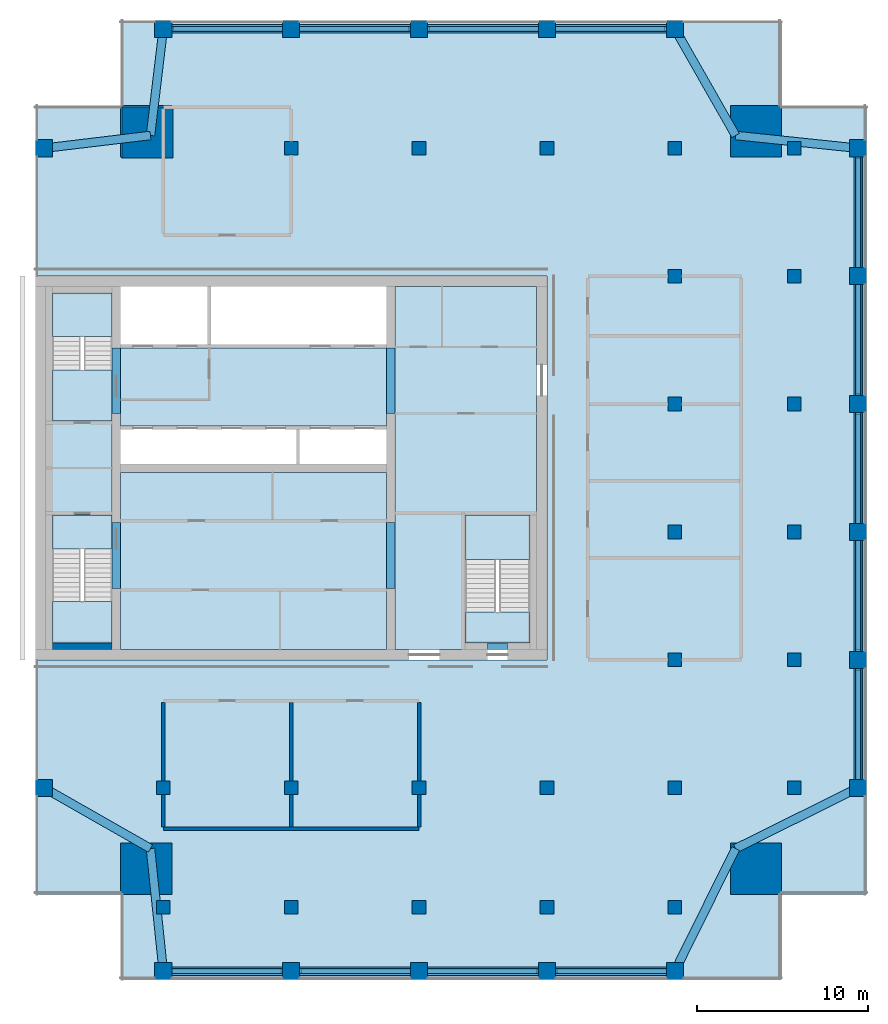
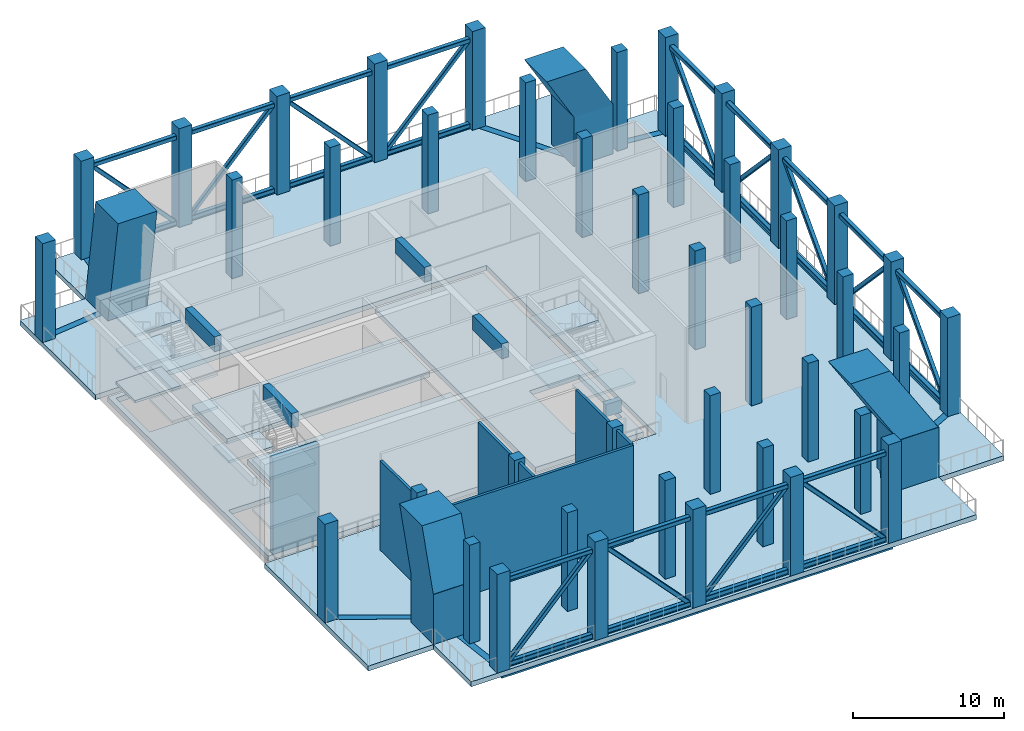
# One storey, part 1 of 11: 46 columns, 39 members, 26 beams, 16 slabs, 5 walls, 3 elements without a shape of their own.
"""IFC4 building model written with IfcOpenShell, lengths in metres."""

from ifc_helpers import new_model, si_unit, direction, frame, frame_2d, origin, origin_2d, place, context, subcontext, project, spatial, polyline, rectangle, hollow_rectangle, outline, extrude, material, layer, layer_set, material_profile, profile_set, type_object, element, aggregate, save


model = new_model("IFC4")

# Units and contexts
model_context = context("Model", 3, precision=1e-05, world=origin(), true_north=direction((0.0, 1.0)))
body_context = subcontext(model_context, "Body", "Model", "MODEL_VIEW")
ifc_project = project(units=[si_unit("LENGTHUNIT", "METRE"), si_unit("AREAUNIT", "SQUARE_METRE"), si_unit("VOLUMEUNIT", "CUBIC_METRE"), si_unit("PLANEANGLEUNIT", "RADIAN"), si_unit("MASSUNIT", "GRAM", prefix="KILO")], contexts=[model_context])

# Site, building, storey
site_placement = place(None, origin())
site = spatial("IfcSite", under=ifc_project, at=site_placement, CompositionType="ELEMENT")
building_placement = place(site_placement, origin())
building = spatial("IfcBuilding", under=site, at=building_placement, Name="Tamorin Gate", CompositionType="ELEMENT")
storey_placement = place(building_placement, frame((0.0, 0.0, 258.199951171875)))
storey = spatial("IfcBuildingStorey", under=building, at=storey_placement, Name="L65", CompositionType="ELEMENT", Elevation=258.199951171875)

# Columns
ifc_material_1 = material(Name="Concrete C50/60", Category="concrete")
ifc_material_profile_1 = material_profile(ifc_material_1, rectangle(XDim=1.0, YDim=1.0, at=origin_2d()), Name="RC 1000x1000")
ifc_profile_set_1 = profile_set([ifc_material_profile_1], Name="Concrete C50/60")
column_type_1 = type_object("IfcColumnType", Name="RC column 1000x1000 C50/60", PredefinedType="COLUMN", material=ifc_profile_set_1)
for number, where, z_axis, x_axis, name in (
    (1, (37.5, 41.75, 0.0), (0.0, 0.0, 1.0), (1.0, 0.0, 0.0), "Ring column L65"),
    (2, (45.0, 41.75, 0.0), (0.0, 0.0, 1.0), (1.0, 0.0, 0.0), "Ring column L65"),
    (3, (52.5, 41.75, 0.0), (0.0, 0.0, 1.0), (1.0, 0.0, 0.0), "Ring column L65"),
    (4, (60.0, 41.75, 0.0), (0.0, 0.0, 1.0), (1.0, 0.0, 0.0), "Ring column L65"),
    (5, (67.5, 41.75, 0.0), (0.0, 0.0, 1.0), (1.0, 0.0, 0.0), "Ring column L65"),
    (6, (78.25, 52.5, 0.0), (0.0, 0.0, 1.0), (1.0, 0.0, 0.0), "Ring column L65"),
    (7, (78.25, 60.0, 0.0), (0.0, 0.0, 1.0), (1.0, 0.0, 0.0), "Ring column L65"),
    (8, (78.25, 67.5, 0.0), (0.0, 0.0, 1.0), (1.0, 0.0, 0.0), "Ring column L65"),
    (9, (78.25, 75.0, 0.0), (0.0, 0.0, 1.0), (1.0, 0.0, 0.0), "Ring column L65"),
    (10, (78.25, 82.5, 0.0), (0.0, 0.0, 1.0), (1.0, 0.0, 0.0), "Ring column L65"),
    (11, (78.25, 90.0, 0.0), (0.0, 0.0, 1.0), (1.0, 0.0, 0.0), "Ring column L65"),
    (12, (30.5, 52.5, 0.0), (0.0, 0.0, 1.0), (1.0, 0.0, 0.0), "Ring column L65"),
    (13, (30.5, 90.0, 0.0), (0.0, 0.0, 1.0), (1.0, 0.0, 0.0), "Ring column L65"),
    (14, (37.5, 97.0, 0.0), (0.0, 0.0, 1.0), (1.0, 0.0, 0.0), "Ring column L65"),
    (15, (45.0, 97.0, 0.0), (0.0, 0.0, 1.0), (1.0, 0.0, 0.0), "Ring column L65"),
    (16, (52.5, 97.0, 0.0), (0.0, 0.0, 1.0), (1.0, 0.0, 0.0), "Ring column L65"),
    (17, (60.0, 97.0, 0.0), (0.0, 0.0, 1.0), (1.0, 0.0, 0.0), "Ring column L65"),
    (18, (67.5, 97.0, 0.0), (0.0, 0.0, 1.0), (1.0, 0.0, 0.0), "Ring column L65"),
):
    element("IfcColumn", number, at=place(storey_placement, frame(where, z_axis=z_axis, x_axis=x_axis)), inside=storey, type_object=column_type_1, Name=name, PredefinedType="COLUMN", context=body_context, shape_type="SweptSolid", body=[
        extrude(rectangle(XDim=1.0, YDim=1.0, at=origin_2d()), origin(), (0.0, 0.0, 1.0), 8.0),
    ])
ifc_material_profile_2 = material_profile(ifc_material_1, rectangle(XDim=3.0, YDim=3.0, at=origin_2d()), Name="RC 3000x3000")
ifc_profile_set_2 = profile_set([ifc_material_profile_2], Name="Concrete C50/60")
column_type_2 = type_object("IfcColumnType", Name="RC column 3000x3000 C50/60", PredefinedType="COLUMN", material=ifc_profile_set_2)
column_1_placement = place(storey_placement, frame((36.5, 47.75, 0.0), z_axis=(0.0, 0.0, 1.0), x_axis=(1.0, 0.0, 0.0)))
element("IfcColumn", 19, at=column_1_placement, inside=storey, type_object=column_type_2, Name="Mega column SW L65", PredefinedType="COLUMN", context=body_context, shape_type="SweptSolid", body=[
    extrude(rectangle(XDim=3.0, YDim=3.0, at=origin_2d()), origin(), (0.0, 0.0, 1.0), 4.050048828125),
    extrude(rectangle(XDim=3.0, YDim=3.0, at=origin_2d()), frame((0.0, 0.0, 4.0)), (0.106866337029, 0.507615100888, 0.854930696232), 4.6787109375),
])
column_2_placement = place(storey_placement, frame((72.25, 47.75, 0.0), z_axis=(0.0, 0.0, 1.0), x_axis=(0.0, 1.0, 0.0)))
element("IfcColumn", 20, at=column_2_placement, inside=storey, type_object=column_type_2, Name="Mega column SE L65", PredefinedType="COLUMN", context=body_context, shape_type="SweptSolid", body=[
    extrude(rectangle(XDim=3.0, YDim=3.0, at=origin_2d()), origin(), (0.0, 0.0, 1.0), 4.050048828125),
    extrude(rectangle(XDim=3.0, YDim=3.0, at=origin_2d()), frame((0.0, 0.0, 4.0)), (0.454706833791, 0.454706833791, 0.765822035859), 5.22314453125),
])
column_3_placement = place(storey_placement, frame((36.5, 91.0, 0.0), z_axis=(0.0, 0.0, 1.0), x_axis=(0.0, -1.0, 0.0)))
element("IfcColumn", 21, at=column_3_placement, inside=storey, type_object=column_type_2, Name="Mega column NW L65", PredefinedType="COLUMN", context=body_context, shape_type="SweptSolid", body=[
    extrude(rectangle(XDim=3.0, YDim=3.0, at=origin_2d()), origin(), (0.062257280636, 0.062257280636, 0.996116490184), 8.03125),
])
column_4_placement = place(storey_placement, frame((72.25, 91.0, 0.0), z_axis=(0.0, 0.0, 1.0), x_axis=(-1.0, 0.0, 0.0)))
element("IfcColumn", 22, at=column_4_placement, inside=storey, type_object=column_type_2, Name="Mega column NE L65", PredefinedType="COLUMN", context=body_context, shape_type="SweptSolid", body=[
    extrude(rectangle(XDim=3.0, YDim=3.0, at=origin_2d()), origin(), (0.0, 0.0, 1.0), 4.050048828125),
    extrude(rectangle(XDim=3.0, YDim=3.0, at=origin_2d()), frame((0.0, 0.0, 4.0)), (0.507615100888, 0.106866337029, 0.854930696232), 4.6787109375),
])
ifc_material_profile_3 = material_profile(ifc_material_1, rectangle(XDim=0.800048828125, YDim=0.800048828125, at=origin_2d()), Name="RC 800x800")
ifc_profile_set_3 = profile_set([ifc_material_profile_3], Name="Concrete C50/60")
column_type_3 = type_object("IfcColumnType", Name="RC column 800x800 C50/60", PredefinedType="COLUMN", material=ifc_profile_set_3)
for number, where, z_axis, x_axis, name in (
    (23, (37.5, 45.5, 0.0), (0.0, 0.0, 1.0), (1.0, 0.0, 0.0), "Interior column L65"),
    (24, (37.5, 52.5, 0.0), (0.0, 0.0, 1.0), (1.0, 0.0, 0.0), "Interior column L65"),
    (25, (45.0, 45.5, 0.0), (0.0, 0.0, 1.0), (1.0, 0.0, 0.0), "Interior column L65"),
    (26, (45.0, 52.5, 0.0), (0.0, 0.0, 1.0), (1.0, 0.0, 0.0), "Interior column L65"),
    (27, (45.0, 90.0, 0.0), (0.0, 0.0, 1.0), (1.0, 0.0, 0.0), "Interior column L65"),
    (28, (52.5, 45.5, 0.0), (0.0, 0.0, 1.0), (1.0, 0.0, 0.0), "Interior column L65"),
    (29, (52.5, 52.5, 0.0), (0.0, 0.0, 1.0), (1.0, 0.0, 0.0), "Interior column L65"),
    (30, (52.5, 90.0, 0.0), (0.0, 0.0, 1.0), (1.0, 0.0, 0.0), "Interior column L65"),
    (31, (60.0, 45.5, 0.0), (0.0, 0.0, 1.0), (1.0, 0.0, 0.0), "Interior column L65"),
    (32, (60.0, 52.5, 0.0), (0.0, 0.0, 1.0), (1.0, 0.0, 0.0), "Interior column L65"),
    (33, (60.0, 90.0, 0.0), (0.0, 0.0, 1.0), (1.0, 0.0, 0.0), "Interior column L65"),
    (34, (67.5, 45.5, 0.0), (0.0, 0.0, 1.0), (1.0, 0.0, 0.0), "Interior column L65"),
    (35, (67.5, 52.5, 0.0), (0.0, 0.0, 1.0), (1.0, 0.0, 0.0), "Interior column L65"),
    (36, (67.5, 60.0, 0.0), (0.0, 0.0, 1.0), (1.0, 0.0, 0.0), "Interior column L65"),
    (37, (67.5, 67.5, 0.0), (0.0, 0.0, 1.0), (1.0, 0.0, 0.0), "Interior column L65"),
    (38, (67.5, 75.0, 0.0), (0.0, 0.0, 1.0), (1.0, 0.0, 0.0), "Interior column L65"),
    (39, (67.5, 82.5, 0.0), (0.0, 0.0, 1.0), (1.0, 0.0, 0.0), "Interior column L65"),
    (40, (67.5, 90.0, 0.0), (0.0, 0.0, 1.0), (1.0, 0.0, 0.0), "Interior column L65"),
    (41, (74.5, 52.5, 0.0), (0.0, 0.0, 1.0), (1.0, 0.0, 0.0), "Interior column L65"),
    (42, (74.5, 60.0, 0.0), (0.0, 0.0, 1.0), (1.0, 0.0, 0.0), "Interior column L65"),
    (43, (74.5, 67.5, 0.0), (0.0, 0.0, 1.0), (1.0, 0.0, 0.0), "Interior column L65"),
    (44, (74.5, 75.0, 0.0), (0.0, 0.0, 1.0), (1.0, 0.0, 0.0), "Interior column L65"),
    (45, (74.5, 82.5, 0.0), (0.0, 0.0, 1.0), (1.0, 0.0, 0.0), "Interior column L65"),
    (46, (74.5, 90.0, 0.0), (0.0, 0.0, 1.0), (1.0, 0.0, 0.0), "Interior column L65"),
):
    element("IfcColumn", number, at=place(storey_placement, frame(where, z_axis=z_axis, x_axis=x_axis)), inside=storey, type_object=column_type_3, Name=name, PredefinedType="COLUMN", context=body_context, shape_type="SweptSolid", body=[
        extrude(rectangle(XDim=0.800048828125, YDim=0.800048828125, at=origin_2d()), origin(), (0.0, 0.0, 1.0), 8.0),
    ])

# Beams
ifc_material_profile_4 = material_profile(ifc_material_1, rectangle(XDim=0.5, YDim=1.199951171875, at=origin_2d()), Name="RC 500x1200")
ifc_profile_set_4 = profile_set([ifc_material_profile_4], Name="Concrete C50/60")
beam_type_1 = type_object("IfcBeamType", Name="RC coupling beam 500x1200 C50/60", PredefinedType="BEAM", material=ifc_profile_set_4)
for number, where, z_axis, x_axis, name in (
    (47, (34.75, 64.199951171875, 7.400146484375), (0.0, 1.0, 0.0), (-1.0, 0.0, 0.0), "Coupling beam L65"),
    (48, (34.75, 74.449951171875, 7.400146484375), (0.0, 1.0, 0.0), (-1.0, 0.0, 0.0), "Coupling beam L65"),
    (49, (50.85009765625, 64.199951171875, 7.400146484375), (0.0, 1.0, 0.0), (-1.0, 0.0, 0.0), "Coupling beam L65"),
    (50, (50.85009765625, 74.449951171875, 7.400146484375), (0.0, 1.0, 0.0), (-1.0, 0.0, 0.0), "Coupling beam L65"),
):
    element("IfcBeam", number, at=place(storey_placement, frame(where, z_axis=z_axis, x_axis=x_axis)), inside=storey, type_object=beam_type_1, Name=name, PredefinedType="BEAM", context=body_context, shape_type="SweptSolid", body=[
        extrude(rectangle(XDim=0.5, YDim=1.199951171875, at=origin_2d()), origin(), (0.0, 0.0, 1.0), 3.85009765625),
    ])
ifc_material_profile_5 = material_profile(ifc_material_1, rectangle(XDim=0.5, YDim=0.75, at=origin_2d()), Name="RC 500x750")
ifc_profile_set_5 = profile_set([ifc_material_profile_5], Name="Concrete C50/60")
beam_type_2 = type_object("IfcBeamType", Name="RC spandrel 500x750 C50/60", PredefinedType="BEAM", material=ifc_profile_set_5)
for number, where, z_axis, x_axis, name in (
    (51, (37.5, 41.75, -0.375), (1.0, 0.0, 0.0), (0.0, 1.0, 0.0), "Spandrel beam L65"),
    (52, (45.0, 41.75, -0.375), (1.0, 0.0, 0.0), (0.0, 1.0, 0.0), "Spandrel beam L65"),
    (53, (52.5, 41.75, -0.375), (1.0, 0.0, 0.0), (0.0, 1.0, 0.0), "Spandrel beam L65"),
    (54, (60.0, 41.75, -0.375), (1.0, 0.0, 0.0), (0.0, 1.0, 0.0), "Spandrel beam L65"),
    (55, (78.25, 52.5, -0.375), (0.0, 1.0, 0.0), (-1.0, 0.0, 0.0), "Spandrel beam L65"),
    (56, (78.25, 60.0, -0.375), (0.0, 1.0, 0.0), (-1.0, 0.0, 0.0), "Spandrel beam L65"),
    (57, (78.25, 67.5, -0.375), (0.0, 1.0, 0.0), (-1.0, 0.0, 0.0), "Spandrel beam L65"),
    (58, (78.25, 75.0, -0.375), (0.0, 1.0, 0.0), (-1.0, 0.0, 0.0), "Spandrel beam L65"),
    (59, (78.25, 82.5, -0.375), (0.0, 1.0, 0.0), (-1.0, 0.0, 0.0), "Spandrel beam L65"),
    (60, (67.5, 97.0, -0.375), (-1.0, 0.0, 0.0), (0.0, -1.0, 0.0), "Spandrel beam L65"),
    (61, (60.0, 97.0, -0.375), (-1.0, 0.0, 0.0), (0.0, -1.0, 0.0), "Spandrel beam L65"),
    (62, (52.5, 97.0, -0.375), (-1.0, 0.0, 0.0), (0.0, -1.0, 0.0), "Spandrel beam L65"),
    (63, (45.0, 97.0, -0.375), (-1.0, 0.0, 0.0), (0.0, -1.0, 0.0), "Spandrel beam L65"),
):
    element("IfcBeam", number, at=place(storey_placement, frame(where, z_axis=z_axis, x_axis=x_axis)), inside=storey, type_object=beam_type_2, Name=name, PredefinedType="BEAM", context=body_context, shape_type="SweptSolid", body=[
        extrude(rectangle(XDim=0.5, YDim=0.75, at=origin_2d()), origin(), (0.0, 0.0, 1.0), 7.5),
    ])
beam_1_placement = place(storey_placement, frame((36.75, 48.9375, -0.375), z_axis=(-0.868777270193, 0.49520304401, 0.0), x_axis=(-0.49520304401, -0.868777270193, 0.0)))
element("IfcBeam", 64, at=beam_1_placement, inside=storey, type_object=beam_type_2, Name="Corner tie beam L65", PredefinedType="BEAM", context=body_context, shape_type="SweptSolid", body=[
    extrude(rectangle(XDim=0.5, YDim=0.75, at=origin_2d()), origin(), (0.0, 0.0, 1.0), 7.194091796875),
])
beam_2_placement = place(storey_placement, frame((36.75, 48.9375, -0.375), z_axis=(0.10378432962, -0.994599825521, 0.0), x_axis=(0.994599825521, 0.10378432962, 0.0)))
element("IfcBeam", 65, at=beam_2_placement, inside=storey, type_object=beam_type_2, Name="Corner tie beam L65", PredefinedType="BEAM", context=body_context, shape_type="SweptSolid", body=[
    extrude(rectangle(XDim=0.5, YDim=0.75, at=origin_2d()), origin(), (0.0, 0.0, 1.0), 7.2265625),
])
for number, where, z_axis, x_axis, name in (
    (66, (71.0625, 48.9375, -0.375), (-0.444094428697, -0.895979987723, 0.0), (0.895979987723, -0.444094428697, 0.0), "Corner tie beam L65"),
    (67, (71.0625, 48.9375, -0.375), (0.895979987723, 0.444094428697, 0.0), (-0.444094428697, 0.895979987723, 0.0), "Corner tie beam L65"),
):
    element("IfcBeam", number, at=place(storey_placement, frame(where, z_axis=z_axis, x_axis=x_axis)), inside=storey, type_object=beam_type_2, Name=name, PredefinedType="BEAM", context=body_context, shape_type="SweptSolid", body=[
        extrude(rectangle(XDim=0.5, YDim=0.75, at=origin_2d()), origin(), (0.0, 0.0, 1.0), 8.02197265625),
    ])
for number, where, z_axis, x_axis, name in (
    (68, (36.75, 90.75, -0.375), (-0.992876838487, -0.119145220618, 0.0), (0.119145220618, -0.992876838487, 0.0), "Corner tie beam L65"),
    (69, (36.75, 90.75, -0.375), (0.119145220618, 0.992876838487, 0.0), (-0.992876838487, 0.119145220618, 0.0), "Corner tie beam L65"),
):
    element("IfcBeam", number, at=place(storey_placement, frame(where, z_axis=z_axis, x_axis=x_axis)), inside=storey, type_object=beam_type_2, Name=name, PredefinedType="BEAM", context=body_context, shape_type="SweptSolid", body=[
        extrude(rectangle(XDim=0.5, YDim=0.75, at=origin_2d()), origin(), (0.0, 0.0, 1.0), 6.294921875),
    ])
beam_3_placement = place(storey_placement, frame((71.0625, 90.75, -0.375), z_axis=(-0.49520304401, 0.868777270193, 0.0), x_axis=(-0.868777270193, -0.49520304401, 0.0)))
element("IfcBeam", 70, at=beam_3_placement, inside=storey, type_object=beam_type_2, Name="Corner tie beam L65", PredefinedType="BEAM", context=body_context, shape_type="SweptSolid", body=[
    extrude(rectangle(XDim=0.5, YDim=0.75, at=origin_2d()), origin(), (0.0, 0.0, 1.0), 7.194091796875),
])
beam_4_placement = place(storey_placement, frame((71.0625, 90.75, -0.375), z_axis=(0.994599825521, -0.10378432962, 0.0), x_axis=(0.10378432962, 0.994599825521, 0.0)))
element("IfcBeam", 71, at=beam_4_placement, inside=storey, type_object=beam_type_2, Name="Corner tie beam L65", PredefinedType="BEAM", context=body_context, shape_type="SweptSolid", body=[
    extrude(rectangle(XDim=0.5, YDim=0.75, at=origin_2d()), origin(), (0.0, 0.0, 1.0), 7.2265625),
])
ifc_material_profile_6 = material_profile(ifc_material_1, rectangle(XDim=0.39990234375, YDim=1.0, at=origin_2d()))
ifc_profile_set_6 = profile_set([ifc_material_profile_6], Name="Concrete C50/60")
beam_type_3 = type_object("IfcBeamType", Name="Stair lintel 400x1000 C50/60", PredefinedType="BEAM", material=ifc_profile_set_6)
beam_5_placement = place(storey_placement, frame((56.5, 60.800048828125, 2.699951171875), z_axis=(1.0, 0.0, 0.0), x_axis=(0.0, 1.0, 0.0)))
element("IfcBeam", 72, at=beam_5_placement, inside=storey, type_object=beam_type_3, Name="Stair lintel", PredefinedType="BEAM", context=body_context, shape_type="SweptSolid", body=[
    extrude(rectangle(XDim=0.39990234375, YDim=1.0, at=origin_2d()), origin(), (0.0, 0.0, 1.0), 1.199951171875),
])

# Members
ifc_material_2 = material(Name="Steel S355J2H", Category="steel")
ifc_material_profile_7 = material_profile(ifc_material_2, hollow_rectangle(XDim=0.35009765625, YDim=0.35009765625, WallThickness=0.02001953125, InnerFilletRadius=0.030029296875, OuterFilletRadius=0.050048828125, at=origin_2d()), Name="RHS 350x350x20")
ifc_profile_set_7 = profile_set([ifc_material_profile_7], Name="Steel S355J2H")
member_type_1 = type_object("IfcMemberType", Name="Steel chord RHS 350x350x20", PredefinedType="CHORD", material=ifc_profile_set_7)
for number, where, z_axis, x_axis, name in (
    (73, (38.0, 41.75, 0.175048828125), (1.0, 0.0, 0.0), (0.0, 1.0, 0.0), "Truss bottom chord L65"),
    (74, (38.0, 41.75, 7.074951171875), (1.0, 0.0, 0.0), (0.0, 1.0, 0.0), "Truss top chord L65"),
    (75, (45.5, 41.75, 0.175048828125), (1.0, 0.0, 0.0), (0.0, 1.0, 0.0), "Truss bottom chord L65"),
    (76, (45.5, 41.75, 7.074951171875), (1.0, 0.0, 0.0), (0.0, 1.0, 0.0), "Truss top chord L65"),
    (77, (53.0, 41.75, 0.175048828125), (1.0, 0.0, 0.0), (0.0, 1.0, 0.0), "Truss bottom chord L65"),
    (78, (53.0, 41.75, 7.074951171875), (1.0, 0.0, 0.0), (0.0, 1.0, 0.0), "Truss top chord L65"),
    (79, (60.5, 41.75, 0.175048828125), (1.0, 0.0, 0.0), (0.0, 1.0, 0.0), "Truss bottom chord L65"),
    (80, (60.5, 41.75, 7.074951171875), (1.0, 0.0, 0.0), (0.0, 1.0, 0.0), "Truss top chord L65"),
    (81, (78.25, 53.0, 0.175048828125), (0.0, 1.0, 0.0), (-1.0, 0.0, 0.0), "Truss bottom chord L65"),
    (82, (78.25, 53.0, 7.074951171875), (0.0, 1.0, 0.0), (-1.0, 0.0, 0.0), "Truss top chord L65"),
    (83, (78.25, 60.5, 0.175048828125), (0.0, 1.0, 0.0), (-1.0, 0.0, 0.0), "Truss bottom chord L65"),
    (84, (78.25, 60.5, 7.074951171875), (0.0, 1.0, 0.0), (-1.0, 0.0, 0.0), "Truss top chord L65"),
    (85, (78.25, 68.0, 0.175048828125), (0.0, 1.0, 0.0), (-1.0, 0.0, 0.0), "Truss bottom chord L65"),
    (86, (78.25, 68.0, 7.074951171875), (0.0, 1.0, 0.0), (-1.0, 0.0, 0.0), "Truss top chord L65"),
    (87, (78.25, 75.5, 0.175048828125), (0.0, 1.0, 0.0), (-1.0, 0.0, 0.0), "Truss bottom chord L65"),
    (88, (78.25, 75.5, 7.074951171875), (0.0, 1.0, 0.0), (-1.0, 0.0, 0.0), "Truss top chord L65"),
    (89, (78.25, 83.0, 0.175048828125), (0.0, 1.0, 0.0), (-1.0, 0.0, 0.0), "Truss bottom chord L65"),
    (90, (78.25, 83.0, 7.074951171875), (0.0, 1.0, 0.0), (-1.0, 0.0, 0.0), "Truss top chord L65"),
    (91, (67.0, 97.0, 0.175048828125), (-1.0, 0.0, 0.0), (0.0, -1.0, 0.0), "Truss bottom chord L65"),
    (92, (67.0, 97.0, 7.074951171875), (-1.0, 0.0, 0.0), (0.0, -1.0, 0.0), "Truss top chord L65"),
    (93, (59.5, 97.0, 0.175048828125), (-1.0, 0.0, 0.0), (0.0, -1.0, 0.0), "Truss bottom chord L65"),
    (94, (59.5, 97.0, 7.074951171875), (-1.0, 0.0, 0.0), (0.0, -1.0, 0.0), "Truss top chord L65"),
    (95, (52.0, 97.0, 0.175048828125), (-1.0, 0.0, 0.0), (0.0, -1.0, 0.0), "Truss bottom chord L65"),
    (96, (52.0, 97.0, 7.074951171875), (-1.0, 0.0, 0.0), (0.0, -1.0, 0.0), "Truss top chord L65"),
    (97, (44.5, 97.0, 0.175048828125), (-1.0, 0.0, 0.0), (0.0, -1.0, 0.0), "Truss bottom chord L65"),
    (98, (44.5, 97.0, 7.074951171875), (-1.0, 0.0, 0.0), (0.0, -1.0, 0.0), "Truss top chord L65"),
):
    element("IfcMember", number, at=place(storey_placement, frame(where, z_axis=z_axis, x_axis=x_axis)), inside=storey, type_object=member_type_1, Name=name, PredefinedType="CHORD", context=body_context, shape_type="SweptSolid", body=[
        extrude(hollow_rectangle(XDim=0.35009765625, YDim=0.35009765625, WallThickness=0.02001953125, InnerFilletRadius=0.030029296875, OuterFilletRadius=0.050048828125, at=origin_2d()), origin(), (0.0, 0.0, 1.0), 6.5),
    ])
ifc_material_profile_8 = material_profile(ifc_material_2, hollow_rectangle(XDim=0.300048828125, YDim=0.300048828125, WallThickness=0.013916015625, InnerFilletRadius=0.02099609375, OuterFilletRadius=0.034912109375, at=origin_2d()), Name="RHS 300x300x14")
ifc_profile_set_8 = profile_set([ifc_material_profile_8], Name="Steel S355J2H")
member_type_2 = type_object("IfcMemberType", Name="Steel diagonal RHS 300x300x14", PredefinedType="BRACE", material=ifc_profile_set_8)
for number, where, z_axis, x_axis, name in (
    (99, (38.0, 41.75, 0.175048828125), (0.68569882637, 0.0, 0.727885375258), (0.0, 1.0, 0.0), "Truss diagonal L65"),
    (100, (45.5, 41.75, 7.074951171875), (0.68569882637, 0.0, -0.727885375258), (0.0, 1.0, 0.0), "Truss diagonal L65"),
    (101, (53.0, 41.75, 0.175048828125), (0.68569882637, 0.0, 0.727885375258), (0.0, 1.0, 0.0), "Truss diagonal L65"),
    (102, (60.5, 41.75, 7.074951171875), (0.68569882637, 0.0, -0.727885375258), (0.0, 1.0, 0.0), "Truss diagonal L65"),
    (103, (78.25, 53.0, 0.175048828125), (0.0, 0.68569882637, 0.727885375258), (-1.0, 0.0, 0.0), "Truss diagonal L65"),
    (104, (78.25, 60.5, 7.074951171875), (0.0, 0.68569882637, -0.727885375258), (-1.0, 0.0, 0.0), "Truss diagonal L65"),
    (105, (78.25, 68.0, 0.175048828125), (0.0, 0.68569882637, 0.727885375258), (-1.0, 0.0, 0.0), "Truss diagonal L65"),
    (106, (78.25, 75.5, 7.074951171875), (0.0, 0.68569882637, -0.727885375258), (-1.0, 0.0, 0.0), "Truss diagonal L65"),
    (107, (78.25, 83.0, 0.175048828125), (0.0, 0.68569882637, 0.727885375258), (-1.0, 0.0, 0.0), "Truss diagonal L65"),
    (108, (67.0, 97.0, 7.074951171875), (-0.68569882637, 0.0, -0.727885375258), (0.0, -1.0, 0.0), "Truss diagonal L65"),
    (109, (59.5, 97.0, 0.175048828125), (-0.68569882637, 0.0, 0.727885375258), (0.0, -1.0, 0.0), "Truss diagonal L65"),
    (110, (52.0, 97.0, 7.074951171875), (-0.68569882637, 0.0, -0.727885375258), (0.0, -1.0, 0.0), "Truss diagonal L65"),
    (111, (44.5, 97.0, 0.175048828125), (-0.68569882637, 0.0, 0.727885375258), (0.0, -1.0, 0.0), "Truss diagonal L65"),
):
    element("IfcMember", number, at=place(storey_placement, frame(where, z_axis=z_axis, x_axis=x_axis)), inside=storey, type_object=member_type_2, Name=name, PredefinedType="BRACE", context=body_context, shape_type="SweptSolid", body=[
        extrude(hollow_rectangle(XDim=0.300048828125, YDim=0.300048828125, WallThickness=0.013916015625, InnerFilletRadius=0.02099609375, OuterFilletRadius=0.034912109375, at=origin_2d()), origin(), (0.0, 0.0, 1.0), 9.4794921875),
    ])

# Slabs
ifc_material_3 = material(Name="Concrete C40/50", Category="concrete")
ifc_layer_1 = layer(ifc_material_3, 0.409912109375)
ifc_layer_set_1 = layer_set([ifc_layer_1], Name="Core floor slab 410 C40/50")
slab_type_1 = type_object("IfcSlabType", Name="Core floor slab 410 C40/50", PredefinedType="FLOOR", material=ifc_layer_set_1)
slab_1_placement = place(storey_placement, frame((0.0, 0.0, -0.409912109375)))
element("IfcSlab", 112, at=slab_1_placement, inside=storey, type_object=slab_type_1, Name="Core floor L65", PredefinedType="FLOOR", context=body_context, shape_type="SweptSolid", body=[
    extrude(outline(polyline([(51.10009765625, 81.89990234375), (59.39990234375, 81.89990234375), (59.39990234375, 60.60009765625), (51.10009765625, 60.60009765625), (51.10009765625, 81.89990234375)]), holes=[polyline([(55.199951171875, 62.800048828125), (59.0, 62.800048828125), (59.0, 68.5), (55.199951171875, 68.5), (55.199951171875, 62.800048828125)])]), origin(), (0.0, 0.0, 1.0), 0.409912109375),
])
slab_2_placement = place(storey_placement, frame((0.0, 0.0, -0.409912109375)))
element("IfcSlab", 113, at=slab_2_placement, inside=storey, type_object=slab_type_1, Name="Core floor L65", PredefinedType="FLOOR", context=body_context, shape_type="SweptSolid", body=[
    extrude(outline(polyline([(50.60009765625, 71.0), (50.60009765625, 60.60009765625), (35.0, 60.60009765625), (35.0, 71.0), (50.60009765625, 71.0)])), origin(), (0.0, 0.0, 1.0), 0.409912109375),
])
slab_3_placement = place(storey_placement, frame((0.0, 0.0, -0.409912109375)))
element("IfcSlab", 114, at=slab_3_placement, inside=storey, type_object=slab_type_1, Name="Core floor L65", PredefinedType="FLOOR", context=body_context, shape_type="SweptSolid", body=[
    extrude(outline(polyline([(50.60009765625, 73.699951171875), (35.0, 73.699951171875), (35.0, 78.300048828125), (50.60009765625, 78.300048828125), (50.60009765625, 73.699951171875)])), origin(), (0.0, 0.0, 1.0), 0.409912109375),
])
slab_4_placement = place(storey_placement, frame((0.0, 0.0, -0.409912109375)))
element("IfcSlab", 115, at=slab_4_placement, inside=storey, type_object=slab_type_1, Name="Core floor L65", PredefinedType="FLOOR", context=body_context, shape_type="SweptSolid", body=[
    extrude(outline(polyline([(34.5, 60.60009765625), (30.60009765625, 60.60009765625), (30.60009765625, 81.89990234375), (34.5, 81.89990234375), (34.5, 81.5), (31.0, 81.5), (31.0, 77.0), (34.5, 77.0), (34.5, 66.5), (31.0, 66.5), (31.0, 61.0), (34.5, 61.0), (34.5, 60.60009765625)])), origin(), (0.0, 0.0, 1.0), 0.409912109375),
])

# Stair, slabs
stair_type = type_object("IfcStairType", Name="Exit stair", PredefinedType="HALF_TURN_STAIR", material=ifc_material_3)
stair_1_placement = place(storey_placement, origin())
stair_1 = element("IfcStair", 116, at=stair_1_placement, inside=storey, type_object=stair_type, Name="L65 stair ST1", PredefinedType="HALF_TURN_STAIR")
ifc_layer_2 = layer(ifc_material_3, 0.199951171875)
ifc_layer_set_2 = layer_set([ifc_layer_2], Name="Exit stair landing 200")
slab_type_2 = type_object("IfcSlabType", Name="Exit stair landing 200", PredefinedType="LANDING", material=ifc_layer_set_2)
slab_5_placement = place(storey_placement, frame((0.0, 0.0, 1.800048828125)))
slab_5 = element("IfcSlab", 117, at=slab_5_placement, type_object=slab_type_2, Name="ST1 landing 1", PredefinedType="LANDING", context=body_context, shape_type="SweptSolid", body=[
    extrude(outline(polyline([(31.0, 63.419921875), (31.0, 61.0), (34.5, 61.0), (34.5, 63.419921875), (31.0, 63.419921875)])), origin(), (0.0, 0.0, 1.0), 0.199951171875),
])
slab_6_placement = place(storey_placement, frame((0.0, 0.0, 3.800048828125)))
slab_6 = element("IfcSlab", 118, at=slab_6_placement, type_object=slab_type_2, Name="ST1 landing 2", PredefinedType="LANDING", context=body_context, shape_type="SweptSolid", body=[
    extrude(outline(polyline([(31.0, 68.5), (31.0, 66.5), (34.5, 66.5), (34.5, 68.5), (31.0, 68.5)])), origin(), (0.0, 0.0, 1.0), 0.199951171875),
])
slab_7_placement = place(storey_placement, frame((0.0, 0.0, 5.800048828125)))
slab_7 = element("IfcSlab", 119, at=slab_7_placement, type_object=slab_type_2, Name="ST1 landing 3", PredefinedType="LANDING", context=body_context, shape_type="SweptSolid", body=[
    extrude(outline(polyline([(31.0, 63.419921875), (31.0, 61.0), (34.5, 61.0), (34.5, 63.419921875), (31.0, 63.419921875)])), origin(), (0.0, 0.0, 1.0), 0.199951171875),
])
aggregate(stair_1, [slab_5, slab_6, slab_7])

stair_2_placement = place(storey_placement, origin())
stair_2 = element("IfcStair", 120, at=stair_2_placement, inside=storey, type_object=stair_type, Name="L65 stair ST2", PredefinedType="HALF_TURN_STAIR")
slab_8_placement = place(storey_placement, frame((0.0, 0.0, 1.13330078125)))
slab_8 = element("IfcSlab", 121, at=slab_8_placement, type_object=slab_type_2, Name="ST2 landing 1", PredefinedType="LANDING", context=body_context, shape_type="SweptSolid", body=[
    extrude(outline(polyline([(34.5, 78.9599609375), (34.5, 81.5), (31.0, 81.5), (31.0, 78.9599609375), (34.5, 78.9599609375)])), origin(), (0.0, 0.0, 1.0), 0.2001953125),
])
slab_9_placement = place(storey_placement, frame((0.0, 0.0, 2.466796875)))
slab_9 = element("IfcSlab", 122, at=slab_9_placement, type_object=slab_type_2, Name="ST2 landing 2", PredefinedType="LANDING", context=body_context, shape_type="SweptSolid", body=[
    extrude(outline(polyline([(34.5, 74.0), (34.5, 77.0), (31.0, 77.0), (31.0, 74.0), (34.5, 74.0)])), origin(), (0.0, 0.0, 1.0), 0.199951171875),
])
slab_10_placement = place(storey_placement, frame((0.0, 0.0, 3.800048828125)))
slab_10 = element("IfcSlab", 123, at=slab_10_placement, type_object=slab_type_2, Name="ST2 landing 3", PredefinedType="LANDING", context=body_context, shape_type="SweptSolid", body=[
    extrude(outline(polyline([(34.5, 78.9599609375), (34.5, 81.5), (31.0, 81.5), (31.0, 78.9599609375), (34.5, 78.9599609375)])), origin(), (0.0, 0.0, 1.0), 0.199951171875),
])
slab_11_placement = place(storey_placement, frame((0.0, 0.0, 5.13330078125)))
slab_11 = element("IfcSlab", 124, at=slab_11_placement, type_object=slab_type_2, Name="ST2 landing 4", PredefinedType="LANDING", context=body_context, shape_type="SweptSolid", body=[
    extrude(outline(polyline([(34.5, 74.0), (34.5, 77.0), (31.0, 77.0), (31.0, 74.0), (34.5, 74.0)])), origin(), (0.0, 0.0, 1.0), 0.2001953125),
])
slab_12_placement = place(storey_placement, frame((0.0, 0.0, 6.466796875)))
slab_12 = element("IfcSlab", 125, at=slab_12_placement, type_object=slab_type_2, Name="ST2 landing 5", PredefinedType="LANDING", context=body_context, shape_type="SweptSolid", body=[
    extrude(outline(polyline([(34.5, 78.9599609375), (34.5, 81.5), (31.0, 81.5), (31.0, 78.9599609375), (34.5, 78.9599609375)])), origin(), (0.0, 0.0, 1.0), 0.199951171875),
])
aggregate(stair_2, [slab_8, slab_9, slab_10, slab_11, slab_12])

stair_3_placement = place(storey_placement, origin())
stair_3 = element("IfcStair", 126, at=stair_3_placement, inside=storey, type_object=stair_type, Name="L65 stair ST3", PredefinedType="HALF_TURN_STAIR")
slab_13_placement = place(storey_placement, frame((0.0, 0.0, 1.800048828125)))
slab_13 = element("IfcSlab", 127, at=slab_13_placement, type_object=slab_type_2, Name="ST3 landing 1", PredefinedType="LANDING", context=body_context, shape_type="SweptSolid", body=[
    extrude(outline(polyline([(59.0, 65.8798828125), (59.0, 68.5), (55.199951171875, 68.5), (55.199951171875, 65.8798828125), (59.0, 65.8798828125)])), origin(), (0.0, 0.0, 1.0), 0.199951171875),
])
slab_14_placement = place(storey_placement, frame((0.0, 0.0, 3.800048828125)))
slab_14 = element("IfcSlab", 128, at=slab_14_placement, type_object=slab_type_2, Name="ST3 landing 2", PredefinedType="LANDING", context=body_context, shape_type="SweptSolid", body=[
    extrude(outline(polyline([(59.0, 61.0), (59.0, 62.800048828125), (55.199951171875, 62.800048828125), (55.199951171875, 61.0), (59.0, 61.0)])), origin(), (0.0, 0.0, 1.0), 0.199951171875),
])
slab_15_placement = place(storey_placement, frame((0.0, 0.0, 5.800048828125)))
slab_15 = element("IfcSlab", 129, at=slab_15_placement, type_object=slab_type_2, Name="ST3 landing 3", PredefinedType="LANDING", context=body_context, shape_type="SweptSolid", body=[
    extrude(outline(polyline([(59.0, 65.8798828125), (59.0, 68.5), (55.199951171875, 68.5), (55.199951171875, 65.8798828125), (59.0, 65.8798828125)])), origin(), (0.0, 0.0, 1.0), 0.199951171875),
])
aggregate(stair_3, [slab_13, slab_14, slab_15])

# Slab
ifc_material_4 = material(Name="Concrete C45/55", Category="concrete")
ifc_layer_3 = layer(ifc_material_4, 0.39990234375)
ifc_layer_set_3 = layer_set([ifc_layer_3], Name="Floor slab 400 C45/55")
slab_type_3 = type_object("IfcSlabType", Name="Floor slab 400 C45/55", PredefinedType="FLOOR", material=ifc_layer_set_3)
slab_16_placement = place(storey_placement, frame((0.0, 0.0, -0.39990234375)))
element("IfcSlab", 130, at=slab_16_placement, inside=storey, type_object=slab_type_3, Name="Floor L65", PredefinedType="FLOOR", context=body_context, shape_type="SweptSolid", body=[
    extrude(outline(polyline([(30.0, 92.5), (35.0, 92.5), (35.0, 97.5), (73.75, 97.5), (73.75, 92.5), (78.75, 92.5), (78.75, 46.25), (73.75, 46.25), (73.75, 41.25), (35.0, 41.25), (35.0, 46.25), (30.0, 46.25), (30.0, 60.0), (60.0, 60.0), (60.0, 82.5), (30.0, 82.5), (30.0, 92.5)])), origin(), (0.0, 0.0, 1.0), 0.39990234375),
])

# Walls
ifc_material_5 = material(Name="Gypsum board partition")
ifc_layer_4 = layer(ifc_material_5, 0.199951171875)
ifc_layer_set_4 = layer_set([ifc_layer_4], Name="Plant and refuge wall 200")
wall_type_1 = type_object("IfcWallType", Name="Plant and refuge wall 200", PredefinedType="PARTITIONING", material=ifc_layer_set_4)
wall_1_placement = place(storey_placement, frame((37.5, 50.10009765625, 0.0), z_axis=(0.0, 0.0, 1.0), x_axis=(1.0, 0.0, 0.0)))
element("IfcWall", 131, at=wall_1_placement, inside=storey, type_object=wall_type_1, Name="Plant and refuge wall 200", PredefinedType="PARTITIONING", context=body_context, shape_type="SweptSolid", body=[
    extrude(rectangle(XDim=15.0, YDim=0.199951171875, at=frame_2d((7.5, 0.0))), origin(), (0.0, 0.0, 1.0), 7.75),
])
wall_2_placement = place(storey_placement, frame((37.5, 50.199951171875, 0.0), z_axis=(0.0, 0.0, 1.0), x_axis=(0.0, 1.0, 0.0)))
element("IfcWall", 132, at=wall_2_placement, inside=storey, type_object=wall_type_1, Name="Plant and refuge wall 200", PredefinedType="PARTITIONING", context=body_context, shape_type="SweptSolid", body=[
    extrude(rectangle(XDim=7.300048828125, YDim=0.199951171875, at=frame_2d((3.64990234375, 0.0))), origin(), (0.0, 0.0, 1.0), 7.25),
])
for number, where, z_axis, x_axis, name in (
    (133, (45.0, 50.199951171875, 0.0), (0.0, 0.0, 1.0), (0.0, 1.0, 0.0), "Plant and refuge wall 200"),
    (134, (52.5, 50.199951171875, 0.0), (0.0, 0.0, 1.0), (0.0, 1.0, 0.0), "Plant and refuge wall 200"),
):
    element("IfcWall", number, at=place(storey_placement, frame(where, z_axis=z_axis, x_axis=x_axis)), inside=storey, type_object=wall_type_1, Name=name, PredefinedType="PARTITIONING", context=body_context, shape_type="SweptSolid", body=[
        extrude(rectangle(XDim=7.300048828125, YDim=0.199951171875, at=frame_2d((3.64990234375, 0.0))), origin(), (0.0, 0.0, 1.0), 7.75),
    ])
ifc_layer_5 = layer(ifc_material_1, 0.39990234375)
ifc_layer_set_5 = layer_set([ifc_layer_5], Name="Stair lining wall 400 EI 120 C50/60")
wall_type_2 = type_object("IfcWallType", Name="Stair lining wall 400 EI 120 C50/60", PredefinedType="SOLIDWALL", material=ifc_layer_set_5)
wall_3_placement = place(storey_placement, frame((31.0, 60.800048828125, 0.0), z_axis=(0.0, 0.0, 1.0), x_axis=(1.0, 0.0, 0.0)))
element("IfcWall", 135, at=wall_3_placement, inside=storey, type_object=wall_type_2, Name="Stair lining wall", PredefinedType="SOLIDWALL", context=body_context, shape_type="SweptSolid", body=[
    extrude(rectangle(XDim=3.5, YDim=0.39990234375, at=frame_2d((1.75, 0.0))), origin(), (0.0, 0.0, 1.0), 7.75),
])

save(model, "model.ifc")
